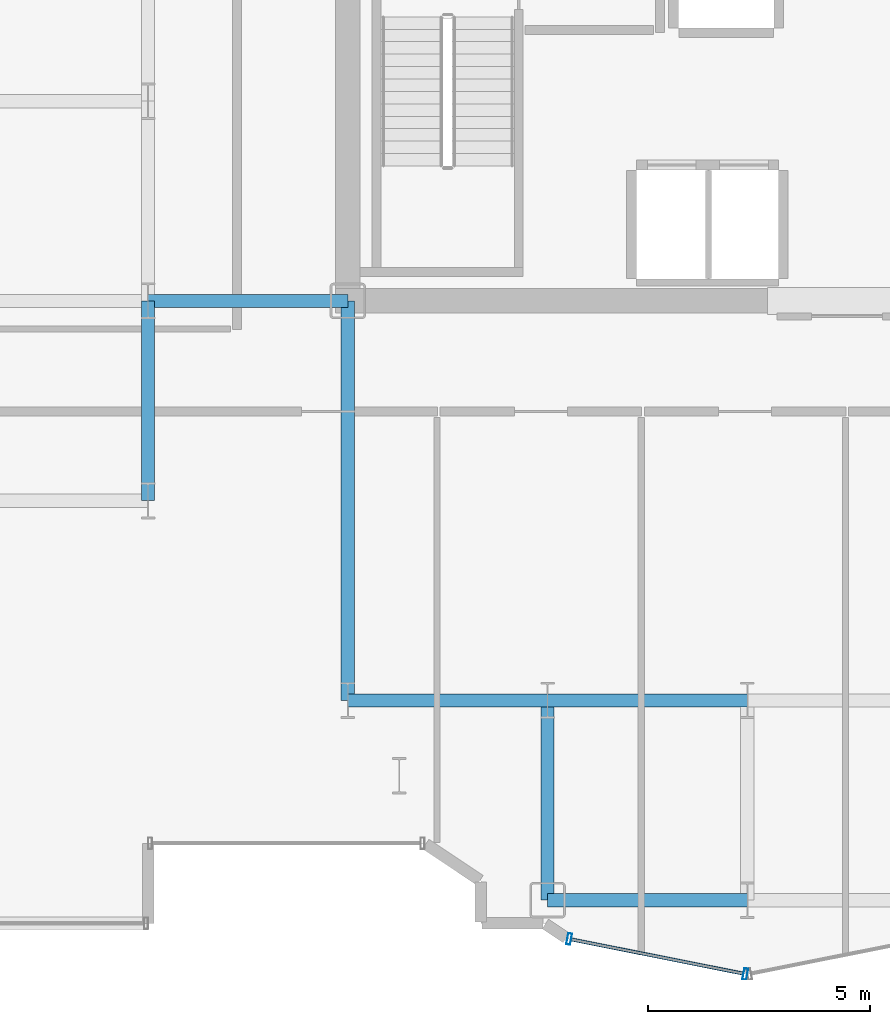
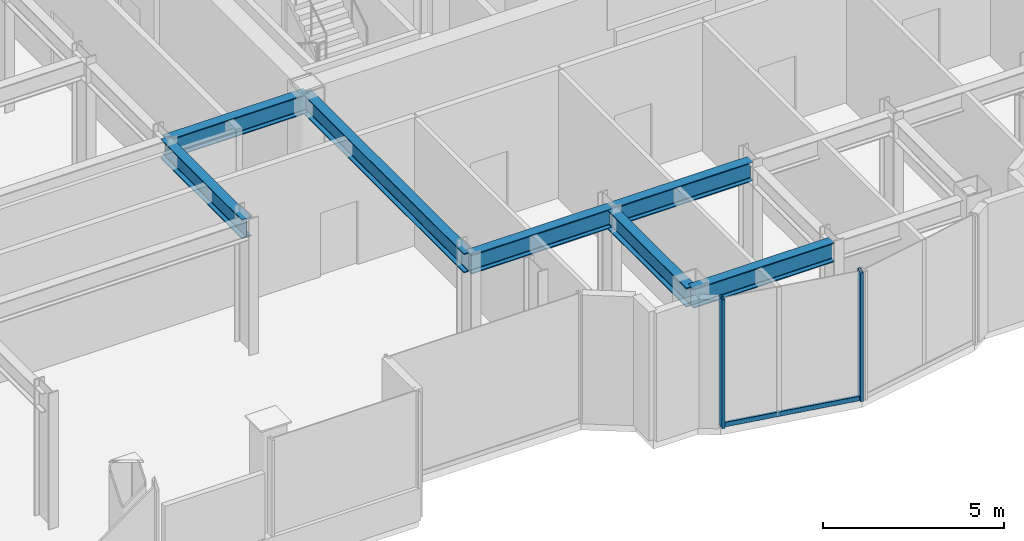
# One storey, part 5 of 26: 7 beams, 3 members, 1 element without a shape of its own.
"""IFC4 building model written with IfcOpenShell, lengths in metres."""

from ifc_helpers import new_model, si_unit, direction, frame, origin, origin_2d, place, context, subcontext, project, spatial, hollow_rectangle, i_section, extrude, source, transform, mapped, material, layer, layer_set, material_profile, profile_set, type_object, element, aggregate, save


model = new_model("IFC4")

# Units and contexts
model_context = context("Model", 3, precision=1e-05, world=origin(), true_north=direction((0.0, 1.0)))
body_context = subcontext(model_context, "Body", "Model", "MODEL_VIEW")
ifc_project = project(units=[si_unit("LENGTHUNIT", "METRE"), si_unit("AREAUNIT", "SQUARE_METRE"), si_unit("VOLUMEUNIT", "CUBIC_METRE"), si_unit("PLANEANGLEUNIT", "RADIAN"), si_unit("MASSUNIT", "GRAM", prefix="KILO")], contexts=[model_context])

# Site, building, storey
site_placement = place(None, origin())
site = spatial("IfcSite", under=ifc_project, at=site_placement, CompositionType="ELEMENT")
building_placement = place(site_placement, origin())
building = spatial("IfcBuilding", under=site, at=building_placement, Name="Nefas-Gora Pilgrimage Tower", CompositionType="ELEMENT")
storey_placement = place(building_placement, frame((0.0, 0.0, 202.0)))
storey = spatial("IfcBuildingStorey", under=building, at=storey_placement, Name="L50", CompositionType="ELEMENT", Elevation=202.0)

# Beams
ifc_material_1 = material(Name="Steel S355", Category="steel")
ifc_material_profile_1 = material_profile(ifc_material_1, i_section(OverallWidth=0.300048828125, OverallDepth=0.64990234375, WebThickness=0.01611328125, FlangeThickness=0.031005859375, FilletRadius=0.027099609375, at=origin_2d()), Name="HEB 650")
ifc_profile_set_1 = profile_set([ifc_material_profile_1], Name="Steel S355")
beam_type = type_object("IfcBeamType", Name="BM-GIR-HEB650", PredefinedType="BEAM", material=ifc_profile_set_1)
shared_shape_1 = source(origin(), body_context, "Body", "SweptSolid", [
    extrude(i_section(OverallWidth=0.300048828125, OverallDepth=0.64990234375, WebThickness=0.01611328125, FlangeThickness=0.031005859375, FilletRadius=0.027099609375, at=origin_2d()), origin(), (0.0, 0.0, 1.0), 9.0),
])
beam_placement = place(storey_placement, frame((-11.25, -18.0, 4.02490234375), z_axis=(0.0, 1.0, 0.0), x_axis=(-1.0, 0.0, 0.0)))
element("IfcBeam", 1, at=beam_placement, inside=storey, type_object=beam_type, Name="L50 G-03 beam", PredefinedType="BEAM", context=body_context, shape_type="MappedRepresentation", body=[
    mapped(shared_shape_1, transform((0.0, 0.0, 0.0), x_axis=(1.0, 0.0, 0.0), y_axis=(0.0, 1.0, 0.0), z_axis=(0.0, 0.0, 1.0), scale=1.0)),
])
shared_shape_2 = source(origin(), body_context, "Body", "SweptSolid", [
    extrude(i_section(OverallWidth=0.300048828125, OverallDepth=0.64990234375, WebThickness=0.01611328125, FlangeThickness=0.031005859375, FilletRadius=0.027099609375, at=origin_2d()), origin(), (0.0, 0.0, 1.0), 4.5),
])
for number, where, z_axis, x_axis, name in (
    (2, (-15.75, -13.5, 4.02490234375), (0.0, 1.0, 0.0), (-1.0, 0.0, 0.0), "L50 G-03 beam"),
    (3, (-15.75, -9.0, 4.02490234375), (1.0, 0.0, 0.0), (0.0, 1.0, 0.0), "L50 G-03 beam"),
    (4, (-11.25, -18.0, 4.02490234375), (1.0, 0.0, 0.0), (0.0, 1.0, 0.0), "L50 G-03 beam"),
    (5, (-6.75, -22.5, 4.02490234375), (0.0, 1.0, 0.0), (-1.0, 0.0, 0.0), "L50 G-03 beam"),
    (6, (-6.75, -22.5, 4.02490234375), (1.0, 0.0, 0.0), (0.0, 1.0, 0.0), "L50 G-03 beam"),
    (7, (-6.75, -18.0, 4.02490234375), (1.0, 0.0, 0.0), (0.0, 1.0, 0.0), "L50 G-03 beam"),
):
    element("IfcBeam", number, at=place(storey_placement, frame(where, z_axis=z_axis, x_axis=x_axis)), inside=storey, type_object=beam_type, Name=name, PredefinedType="BEAM", context=body_context, shape_type="MappedRepresentation", body=[
        mapped(shared_shape_2, transform((0.0, 0.0, 0.0), x_axis=(1.0, 0.0, 0.0), y_axis=(0.0, 1.0, 0.0), z_axis=(0.0, 0.0, 1.0), scale=1.0)),
    ])

# Curtain wall, members
ifc_material_2 = material(Name="Dark ceramic-fritted solar-control aluminium-glass curtain wall", Category="aluminium")
ifc_layer = layer(ifc_material_2, 0.219970703125)
ifc_layer_set = layer_set([ifc_layer], Name="Dark ceramic-fritted solar-control aluminium-glass curtain wall")
curtain_wall_type = type_object("IfcCurtainWallType", Name="CW-SYS-5", PredefinedType="NOTDEFINED", material=ifc_layer_set)
curtain_wall_placement = place(storey_placement, origin())
curtain_wall = element("IfcCurtainWall", 8, at=curtain_wall_placement, inside=storey, type_object=curtain_wall_type, Name="L50 Unitised Curtain Wall CW5", PredefinedType="NOTDEFINED")
ifc_material_3 = material(Name="Anodised architectural aluminium", Category="aluminium")
ifc_material_profile_2 = material_profile(ifc_material_3, hollow_rectangle(XDim=0.080078125, YDim=0.159912109375, WallThickness=0.00439453125, InnerFilletRadius=0.00439453125, OuterFilletRadius=0.009033203125, at=origin_2d()), Name="ALU TRANSOM 80x160")
ifc_profile_set_2 = profile_set([ifc_material_profile_2], Name="Anodised architectural aluminium")
member_type_1 = type_object("IfcMemberType", Name="CWM-TRN-5", PredefinedType="USERDEFINED", material=ifc_profile_set_2)
shared_shape_3 = source(origin(), body_context, "Body", "SweptSolid", [
    extrude(hollow_rectangle(XDim=0.080078125, YDim=0.159912109375, WallThickness=0.00439453125, InnerFilletRadius=0.00439453125, OuterFilletRadius=0.009033203125, at=origin_2d()), origin(), (0.0, 0.0, 1.0), 3.95654296875),
])
member_1_placement = place(storey_placement, frame((-6.218994140625, -23.3828125, 0.050048828125), z_axis=(0.980781880918, -0.195107411605, 0.0), x_axis=(0.195107411605, 0.980781880918, 0.0)))
member_1 = element("IfcMember", 9, at=member_1_placement, type_object=member_type_1, Name="CW5 Spandrel Transom", ObjectType="TRANSOM", PredefinedType="USERDEFINED", context=body_context, shape_type="MappedRepresentation", body=[
    mapped(shared_shape_3, transform((0.0, 0.0, 0.0), x_axis=(1.0, 0.0, 0.0), y_axis=(0.0, 1.0, 0.0), z_axis=(0.0, 0.0, 1.0), scale=1.0)),
])
ifc_material_profile_3 = material_profile(ifc_material_3, hollow_rectangle(XDim=0.090087890625, YDim=0.260009765625, WallThickness=0.006103515625, InnerFilletRadius=0.006103515625, OuterFilletRadius=0.011962890625, at=origin_2d()), Name="ALU MULLION 90x260")
ifc_profile_set_3 = profile_set([ifc_material_profile_3], Name="Anodised architectural aluminium")
member_type_2 = type_object("IfcMemberType", Name="CWM-MUL-5", PredefinedType="MULLION", material=ifc_profile_set_3)
shared_shape_4 = source(origin(), body_context, "Body", "SweptSolid", [
    extrude(hollow_rectangle(XDim=0.090087890625, YDim=0.260009765625, WallThickness=0.006103515625, InnerFilletRadius=0.006103515625, OuterFilletRadius=0.011962890625, at=origin_2d()), origin(), (0.0, 0.0, 1.0), 4.35009765625),
])
member_2_placement = place(storey_placement, frame((-6.26318359375, -23.3740234375, 0.0), z_axis=(0.0, 0.0, 1.0), x_axis=(0.980782896852, -0.195102304554, 0.0)))
member_2 = element("IfcMember", 10, at=member_2_placement, type_object=member_type_2, Name="CW5 Mullion 1", PredefinedType="MULLION", context=body_context, shape_type="MappedRepresentation", body=[
    mapped(shared_shape_4, transform((0.0, 0.0, 0.0), x_axis=(1.0, 0.0, 0.0), y_axis=(0.0, 1.0, 0.0), z_axis=(0.0, 0.0, 1.0), scale=1.0)),
])
member_3_placement = place(storey_placement, frame((-2.294189453125, -24.16357421875, 0.0), z_axis=(0.0, 0.0, 1.0), x_axis=(0.980782896852, -0.195102304554, 0.0)))
member_3 = element("IfcMember", 11, at=member_3_placement, type_object=member_type_2, Name="CW5 Mullion 2", PredefinedType="MULLION", context=body_context, shape_type="MappedRepresentation", body=[
    mapped(shared_shape_4, transform((0.0, 0.0, 0.0), x_axis=(1.0, 0.0, 0.0), y_axis=(0.0, 1.0, 0.0), z_axis=(0.0, 0.0, 1.0), scale=1.0)),
])
aggregate(curtain_wall, [member_2, member_3, member_1])

save(model, "model.ifc")
